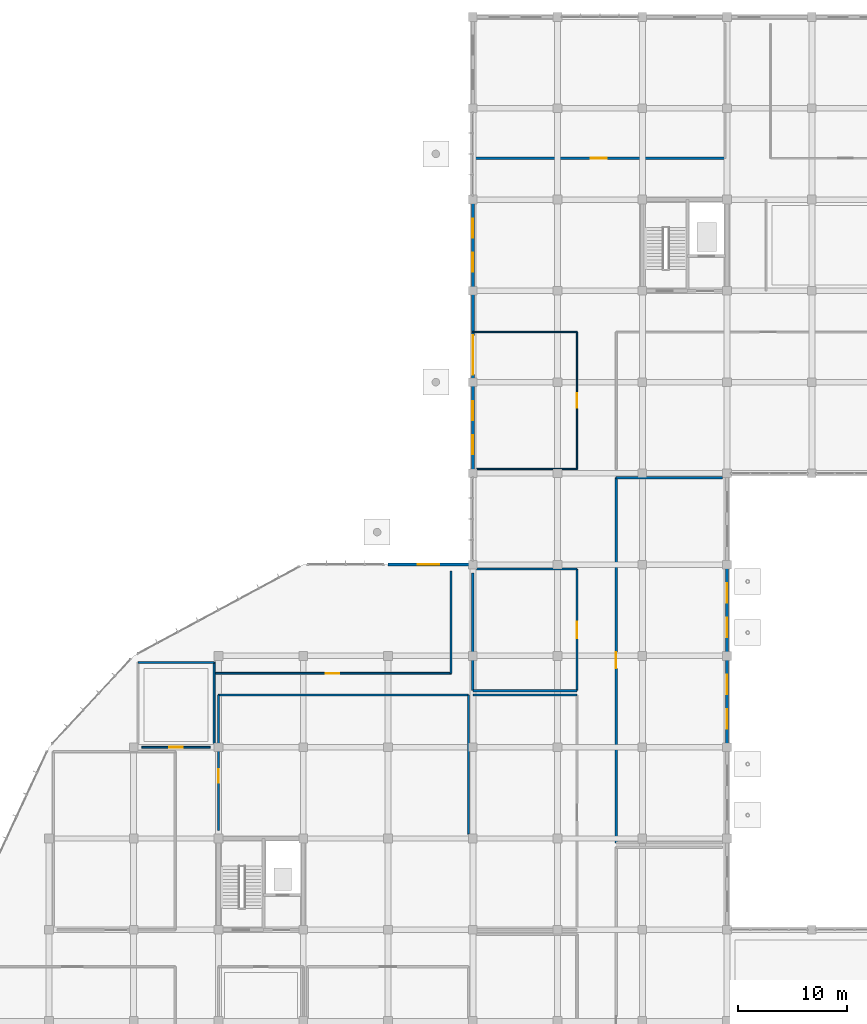
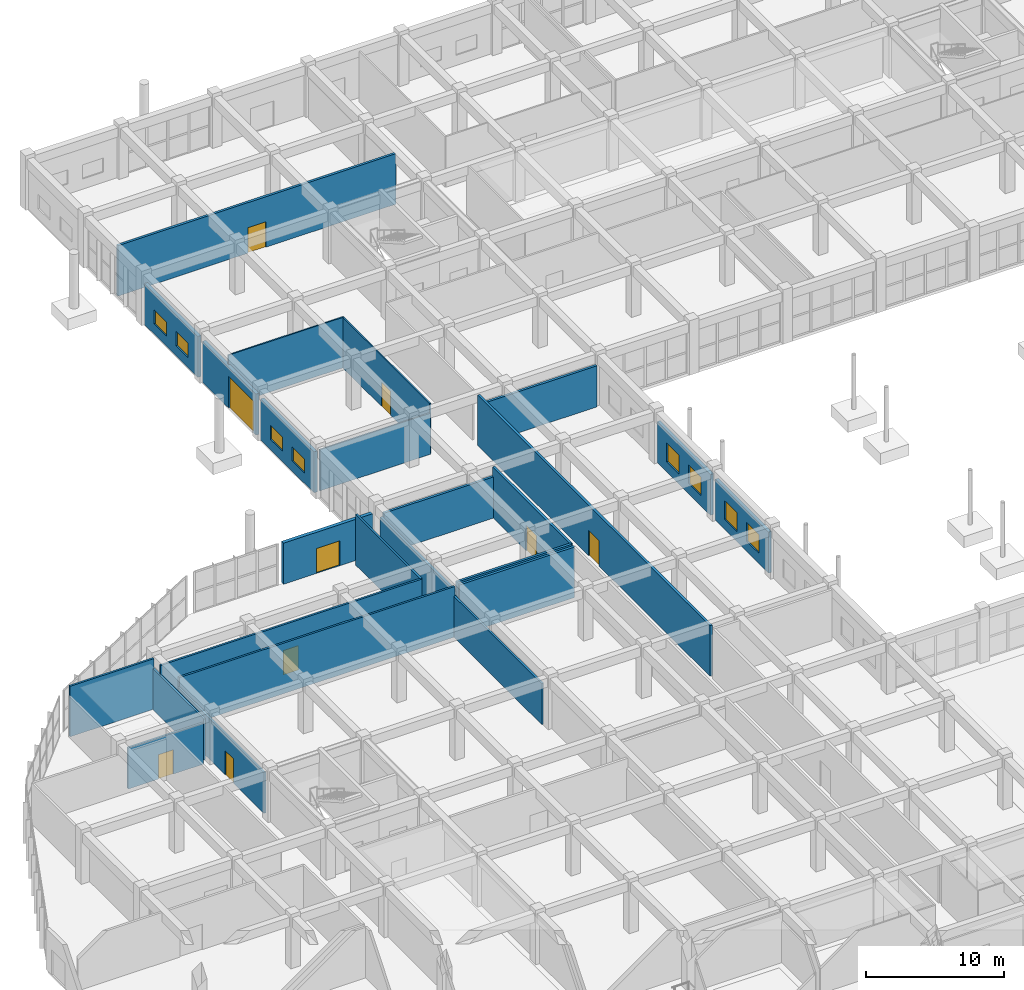
# One storey, part 126 of 139: 25 walls, 9 doors, 8 windows, 17 openings.
"""IFC4 building model written with IfcOpenShell, lengths in metres."""

from ifc_helpers import new_model, si_unit, direction, frame, frame_2d, origin, place, context, subcontext, project, spatial, rectangle, extrude, material, layer, layer_set, type_object, element, fill, save


model = new_model("IFC4")

# Units and contexts
model_context = context("Model", 3, precision=1e-05, world=origin(), true_north=direction((0.0, 1.0)))
body_context = subcontext(model_context, "Body", "Model", "MODEL_VIEW")
ifc_project = project(units=[si_unit("LENGTHUNIT", "METRE"), si_unit("AREAUNIT", "SQUARE_METRE"), si_unit("VOLUMEUNIT", "CUBIC_METRE"), si_unit("PLANEANGLEUNIT", "RADIAN"), si_unit("MASSUNIT", "GRAM", prefix="KILO")], contexts=[model_context])

# Site, building, storey
site_placement = place(None, origin())
site = spatial("IfcSite", under=ifc_project, at=site_placement, CompositionType="ELEMENT")
building_placement = place(site_placement, origin())
building = spatial("IfcBuilding", under=site, at=building_placement, Name="Zizhar Promenade General Hospital", CompositionType="ELEMENT")
storey_placement = place(building_placement, origin())
storey = spatial("IfcBuildingStorey", under=building, at=storey_placement, Name="L00", CompositionType="ELEMENT", Elevation=0.0)

# Wall, openings, windows
ifc_material_1 = material(Name="Precast concrete C40/50", Category="concrete")
ifc_layer_1 = layer(ifc_material_1, 0.260009765625)
ifc_layer_set_1 = layer_set([ifc_layer_1], Name="Precast concrete C40/50")
wall_type_1 = type_object("IfcWallType", Name="EW-PC-260", PredefinedType="STANDARD", material=ifc_layer_set_1)
wall_1_placement = place(storey_placement, frame((70.199951171875, 67.5400390625, 0.0), z_axis=(0.0, 0.0, 1.0), x_axis=(0.0, 1.0, 0.0)))
wall_1 = element("IfcWall", 1, at=wall_1_placement, inside=storey, type_object=wall_type_1, Name="Garden Court West Wall L00-8", PredefinedType="STANDARD", context=body_context, shape_type="SweptSolid", body=[
    extrude(rectangle(XDim=7.719970703125, YDim=0.260009765625, at=frame_2d((3.85986328125, 0.0))), origin(), (0.0, 0.0, 1.0), 3.614990234375),
])
opening_1_placement = place(wall_1_placement, frame((1.373291015625, 0.0, 0.89990234375)))
opening_1 = element("IfcOpeningElement", 2, at=opening_1_placement, cuts=wall_1, Name="Opening W-08", PredefinedType="OPENING", context=body_context, shape_type="SweptSolid", body=[
    extrude(rectangle(XDim=1.800048828125, YDim=1.64990234375, at=frame_2d((0.89990234375, 0.824951171875))), frame((0.0, 0.14013671875, 0.0), z_axis=(0.0, -1.0, 0.0), x_axis=(1.0, 0.0, 0.0)), (0.0, 0.0, 1.0), 0.280029296875),
])
opening_2_placement = place(wall_1_placement, frame((4.546630859375, 0.0, 0.89990234375)))
opening_2 = element("IfcOpeningElement", 3, at=opening_2_placement, cuts=wall_1, Name="Opening W-08", PredefinedType="OPENING", context=body_context, shape_type="SweptSolid", body=[
    extrude(rectangle(XDim=1.800048828125, YDim=1.64990234375, at=frame_2d((0.89990234375, 0.824951171875))), frame((0.0, 0.14013671875, 0.0), z_axis=(0.0, -1.0, 0.0), x_axis=(1.0, 0.0, 0.0)), (0.0, 0.0, 1.0), 0.280029296875),
])
ifc_material_2 = material(Name="Anodised aluminium 6063-T6 and low-E glass", Category="aluminium")
window_type_1 = type_object("IfcWindowType", Name="WIN-CLN-180x165", PartitioningType="DOUBLE_PANEL_VERTICAL", PredefinedType="WINDOW", material=ifc_material_2)
window_1_placement = place(opening_1_placement, origin())
window_1 = element("IfcWindow", 4, at=window_1_placement, inside=storey, type_object=window_type_1, Name="Garden Court West Wall L00-8 Window 1", OverallHeight=1.64990234375, OverallWidth=1.800048828125, PartitioningType="SINGLE_PANEL", PredefinedType="WINDOW", context=body_context, shape_type="SweptSolid", body=[
    extrude(rectangle(XDim=1.800048828125, YDim=1.64990234375, at=frame_2d((0.89990234375, 0.824951171875))), frame((0.0, 0.030029296875, 0.0), z_axis=(0.0, -1.0, 0.0), x_axis=(1.0, 0.0, 0.0)), (0.0, 0.0, 1.0), 0.06005859375),
])
fill(opening_1, window_1)
window_2_placement = place(opening_2_placement, origin())
window_2 = element("IfcWindow", 5, at=window_2_placement, inside=storey, type_object=window_type_1, Name="Garden Court West Wall L00-8 Window 2", OverallHeight=1.64990234375, OverallWidth=1.800048828125, PartitioningType="SINGLE_PANEL", PredefinedType="WINDOW", context=body_context, shape_type="SweptSolid", body=[
    extrude(rectangle(XDim=1.800048828125, YDim=1.64990234375, at=frame_2d((0.89990234375, 0.824951171875))), frame((0.0, 0.030029296875, 0.0), z_axis=(0.0, -1.0, 0.0), x_axis=(1.0, 0.0, 0.0)), (0.0, 0.0, 1.0), 0.06005859375),
])
fill(opening_2, window_2)

wall_2_placement = place(storey_placement, frame((70.199951171875, 75.93994140625, 0.0), z_axis=(0.0, 0.0, 1.0), x_axis=(0.0, 1.0, 0.0)))
wall_2 = element("IfcWall", 6, at=wall_2_placement, inside=storey, type_object=wall_type_1, Name="Garden Court West Wall L00-9", PredefinedType="STANDARD", context=body_context, shape_type="SweptSolid", body=[
    extrude(rectangle(XDim=7.719970703125, YDim=0.260009765625, at=frame_2d((3.85986328125, 0.0))), origin(), (0.0, 0.0, 1.0), 3.614990234375),
])
opening_3_placement = place(wall_2_placement, frame((1.373291015625, 0.0, 0.89990234375)))
opening_3 = element("IfcOpeningElement", 7, at=opening_3_placement, cuts=wall_2, Name="Opening W-08", PredefinedType="OPENING", context=body_context, shape_type="SweptSolid", body=[
    extrude(rectangle(XDim=1.800048828125, YDim=1.64990234375, at=frame_2d((0.89990234375, 0.824951171875))), frame((0.0, 0.14013671875, 0.0), z_axis=(0.0, -1.0, 0.0), x_axis=(1.0, 0.0, 0.0)), (0.0, 0.0, 1.0), 0.280029296875),
])
opening_4_placement = place(wall_2_placement, frame((4.546630859375, 0.0, 0.89990234375)))
opening_4 = element("IfcOpeningElement", 8, at=opening_4_placement, cuts=wall_2, Name="Opening W-08", PredefinedType="OPENING", context=body_context, shape_type="SweptSolid", body=[
    extrude(rectangle(XDim=1.800048828125, YDim=1.64990234375, at=frame_2d((0.89990234375, 0.824951171875))), frame((0.0, 0.14013671875, 0.0), z_axis=(0.0, -1.0, 0.0), x_axis=(1.0, 0.0, 0.0)), (0.0, 0.0, 1.0), 0.280029296875),
])
window_3_placement = place(opening_3_placement, origin())
window_3 = element("IfcWindow", 9, at=window_3_placement, inside=storey, type_object=window_type_1, Name="Garden Court West Wall L00-9 Window 1", OverallHeight=1.64990234375, OverallWidth=1.800048828125, PartitioningType="SINGLE_PANEL", PredefinedType="WINDOW", context=body_context, shape_type="SweptSolid", body=[
    extrude(rectangle(XDim=1.800048828125, YDim=1.64990234375, at=frame_2d((0.89990234375, 0.824951171875))), frame((0.0, 0.030029296875, 0.0), z_axis=(0.0, -1.0, 0.0), x_axis=(1.0, 0.0, 0.0)), (0.0, 0.0, 1.0), 0.06005859375),
])
fill(opening_3, window_3)
window_4_placement = place(opening_4_placement, origin())
window_4 = element("IfcWindow", 10, at=window_4_placement, inside=storey, type_object=window_type_1, Name="Garden Court West Wall L00-9 Window 2", OverallHeight=1.64990234375, OverallWidth=1.800048828125, PartitioningType="SINGLE_PANEL", PredefinedType="WINDOW", context=body_context, shape_type="SweptSolid", body=[
    extrude(rectangle(XDim=1.800048828125, YDim=1.64990234375, at=frame_2d((0.89990234375, 0.824951171875))), frame((0.0, 0.030029296875, 0.0), z_axis=(0.0, -1.0, 0.0), x_axis=(1.0, 0.0, 0.0)), (0.0, 0.0, 1.0), 0.06005859375),
])
fill(opening_4, window_4)

ifc_material_3 = material(Name="Precast concrete C40/50", Category="concrete")
ifc_layer_2 = layer(ifc_material_3, 0.27490234375)
ifc_layer_set_2 = layer_set([ifc_layer_2], Name="Precast concrete C40/50")
wall_type_2 = type_object("IfcWallType", Name="EW-PC-275", PredefinedType="STANDARD", material=ifc_layer_set_2)
wall_3_placement = place(storey_placement, frame((46.800048828125, 92.739990234375, 0.0), z_axis=(0.0, 0.0, 1.0), x_axis=(0.0, 1.0, 0.0)))
wall_3 = element("IfcWall", 11, at=wall_3_placement, inside=storey, type_object=wall_type_2, Name="Surgical West Wall L00-11", PredefinedType="STANDARD", context=body_context, shape_type="SweptSolid", body=[
    extrude(rectangle(XDim=7.719970703125, YDim=0.27490234375, at=frame_2d((3.85986328125, 0.0))), origin(), (0.0, 0.0, 1.0), 3.614990234375),
])
opening_5_placement = place(wall_3_placement, frame((1.40673828125, 0.0, 0.89990234375)))
opening_5 = element("IfcOpeningElement", 12, at=opening_5_placement, cuts=wall_3, Name="Opening W-25", PredefinedType="OPENING", context=body_context, shape_type="SweptSolid", body=[
    extrude(rectangle(XDim=1.75, YDim=1.25, at=frame_2d((0.875, 0.625))), frame((0.0, 0.1474609375, 0.0), z_axis=(0.0, -1.0, 0.0), x_axis=(1.0, 0.0, 0.0)), (0.0, 0.0, 1.0), 0.294921875),
])
opening_6_placement = place(wall_3_placement, frame((4.563232421875, 0.0, 0.89990234375)))
opening_6 = element("IfcOpeningElement", 13, at=opening_6_placement, cuts=wall_3, Name="Opening W-25", PredefinedType="OPENING", context=body_context, shape_type="SweptSolid", body=[
    extrude(rectangle(XDim=1.75, YDim=1.25, at=frame_2d((0.875, 0.625))), frame((0.0, 0.1474609375, 0.0), z_axis=(0.0, -1.0, 0.0), x_axis=(1.0, 0.0, 0.0)), (0.0, 0.0, 1.0), 0.294921875),
])
ifc_material_4 = material(Name="Anodised aluminium 6063-T6 and low-E glass", Category="aluminium")
window_type_2 = type_object("IfcWindowType", Name="WIN-OR-175x125", PartitioningType="DOUBLE_PANEL_VERTICAL", PredefinedType="WINDOW", material=ifc_material_4)
window_5_placement = place(opening_5_placement, origin())
window_5 = element("IfcWindow", 14, at=window_5_placement, inside=storey, type_object=window_type_2, Name="Surgical West Wall L00-11 Window 1", OverallHeight=1.25, OverallWidth=1.75, PartitioningType="SINGLE_PANEL", PredefinedType="WINDOW", context=body_context, shape_type="SweptSolid", body=[
    extrude(rectangle(XDim=1.75, YDim=1.25, at=frame_2d((0.875, 0.625))), frame((0.0, 0.030029296875, 0.0), z_axis=(0.0, -1.0, 0.0), x_axis=(1.0, 0.0, 0.0)), (0.0, 0.0, 1.0), 0.06005859375),
])
fill(opening_5, window_5)
window_6_placement = place(opening_6_placement, origin())
window_6 = element("IfcWindow", 15, at=window_6_placement, inside=storey, type_object=window_type_2, Name="Surgical West Wall L00-11 Window 2", OverallHeight=1.25, OverallWidth=1.75, PartitioningType="SINGLE_PANEL", PredefinedType="WINDOW", context=body_context, shape_type="SweptSolid", body=[
    extrude(rectangle(XDim=1.75, YDim=1.25, at=frame_2d((0.875, 0.625))), frame((0.0, 0.030029296875, 0.0), z_axis=(0.0, -1.0, 0.0), x_axis=(1.0, 0.0, 0.0)), (0.0, 0.0, 1.0), 0.06005859375),
])
fill(opening_6, window_6)

# Wall, opening, door
wall_4_placement = place(storey_placement, frame((46.800048828125, 101.139892578125, 0.0), z_axis=(0.0, 0.0, 1.0), x_axis=(0.0, 1.0, 0.0)))
wall_4 = element("IfcWall", 16, at=wall_4_placement, inside=storey, type_object=wall_type_2, Name="Surgical West Wall L00-12", PredefinedType="STANDARD", context=body_context, shape_type="SweptSolid", body=[
    extrude(rectangle(XDim=7.72021484375, YDim=0.27490234375, at=frame_2d((3.860107421875, 0.0))), origin(), (0.0, 0.0, 1.0), 3.614990234375),
])
opening_7_placement = place(wall_4_placement, frame((0.35009765625, 0.0, 0.0)))
opening_7 = element("IfcOpeningElement", 17, at=opening_7_placement, cuts=wall_4, Name="Opening VG-02", PredefinedType="OPENING", context=body_context, shape_type="SweptSolid", body=[
    extrude(rectangle(XDim=3.60009765625, YDim=2.800048828125, at=frame_2d((1.800048828125, 1.39990234375))), frame((0.0, 0.1474609375, 0.0), z_axis=(0.0, -1.0, 0.0), x_axis=(1.0, 0.0, 0.0)), (0.0, 0.0, 1.0), 0.294921875),
])
ifc_material_5 = material(Name="Galvanised Steel S355", Category="steel")
door_type_1 = type_object("IfcDoorType", Name="GT-SRV-360x280", OperationType="DOUBLE_DOOR_SINGLE_SWING", PredefinedType="GATE", material=ifc_material_5)
door_1_placement = place(opening_7_placement, origin())
door_1 = element("IfcDoor", 18, at=door_1_placement, inside=storey, type_object=door_type_1, Name="Surgical Logistics Yard Gate", OperationType="DOUBLE_DOOR_SINGLE_SWING", OverallHeight=2.800048828125, OverallWidth=3.60009765625, PredefinedType="GATE", context=body_context, shape_type="SweptSolid", body=[
    extrude(rectangle(XDim=3.60009765625, YDim=2.800048828125, at=frame_2d((1.800048828125, 1.39990234375))), frame((0.0, 0.02490234375, 0.0), z_axis=(0.0, -1.0, 0.0), x_axis=(1.0, 0.0, 0.0)), (0.0, 0.0, 1.0), 0.050048828125),
])
fill(opening_7, door_1)

# Wall, openings, windows
wall_5_placement = place(storey_placement, frame((46.800048828125, 109.5400390625, 0.0), z_axis=(0.0, 0.0, 1.0), x_axis=(0.0, 1.0, 0.0)))
wall_5 = element("IfcWall", 19, at=wall_5_placement, inside=storey, type_object=wall_type_2, Name="Surgical West Wall L00-13", PredefinedType="STANDARD", context=body_context, shape_type="SweptSolid", body=[
    extrude(rectangle(XDim=7.719970703125, YDim=0.27490234375, at=frame_2d((3.85986328125, 0.0))), origin(), (0.0, 0.0, 1.0), 3.614990234375),
])
opening_8_placement = place(wall_5_placement, frame((1.40673828125, 0.0, 0.89990234375)))
opening_8 = element("IfcOpeningElement", 20, at=opening_8_placement, cuts=wall_5, Name="Opening W-25", PredefinedType="OPENING", context=body_context, shape_type="SweptSolid", body=[
    extrude(rectangle(XDim=1.75, YDim=1.25, at=frame_2d((0.875, 0.625))), frame((0.0, 0.1474609375, 0.0), z_axis=(0.0, -1.0, 0.0), x_axis=(1.0, 0.0, 0.0)), (0.0, 0.0, 1.0), 0.294921875),
])
opening_9_placement = place(wall_5_placement, frame((4.563232421875, 0.0, 0.89990234375)))
opening_9 = element("IfcOpeningElement", 21, at=opening_9_placement, cuts=wall_5, Name="Opening W-25", PredefinedType="OPENING", context=body_context, shape_type="SweptSolid", body=[
    extrude(rectangle(XDim=1.75, YDim=1.25, at=frame_2d((0.875, 0.625))), frame((0.0, 0.1474609375, 0.0), z_axis=(0.0, -1.0, 0.0), x_axis=(1.0, 0.0, 0.0)), (0.0, 0.0, 1.0), 0.294921875),
])
window_7_placement = place(opening_8_placement, origin())
window_7 = element("IfcWindow", 22, at=window_7_placement, inside=storey, type_object=window_type_2, Name="Surgical West Wall L00-13 Window 1", OverallHeight=1.25, OverallWidth=1.75, PartitioningType="SINGLE_PANEL", PredefinedType="WINDOW", context=body_context, shape_type="SweptSolid", body=[
    extrude(rectangle(XDim=1.75, YDim=1.25, at=frame_2d((0.875, 0.625))), frame((0.0, 0.030029296875, 0.0), z_axis=(0.0, -1.0, 0.0), x_axis=(1.0, 0.0, 0.0)), (0.0, 0.0, 1.0), 0.06005859375),
])
fill(opening_8, window_7)
window_8_placement = place(opening_9_placement, origin())
window_8 = element("IfcWindow", 23, at=window_8_placement, inside=storey, type_object=window_type_2, Name="Surgical West Wall L00-13 Window 2", OverallHeight=1.25, OverallWidth=1.75, PartitioningType="SINGLE_PANEL", PredefinedType="WINDOW", context=body_context, shape_type="SweptSolid", body=[
    extrude(rectangle(XDim=1.75, YDim=1.25, at=frame_2d((0.875, 0.625))), frame((0.0, 0.030029296875, 0.0), z_axis=(0.0, -1.0, 0.0), x_axis=(1.0, 0.0, 0.0)), (0.0, 0.0, 1.0), 0.06005859375),
])
fill(opening_9, window_8)

# Wall, opening, door
ifc_material_6 = material(Name="Precast concrete C40/50", Category="concrete")
ifc_layer_3 = layer(ifc_material_6, 0.2900390625)
ifc_layer_set_3 = layer_set([ifc_layer_3], Name="Precast concrete C40/50")
wall_type_3 = type_object("IfcWallType", Name="EW-PC-290", PredefinedType="STANDARD", material=ifc_layer_set_3)
wall_6_placement = place(storey_placement, frame((39.0, 84.0, 0.0), z_axis=(0.0, 0.0, 1.0), x_axis=(1.0, 0.0, 0.0)))
wall_6 = element("IfcWall", 24, at=wall_6_placement, inside=storey, type_object=wall_type_3, Name="Emergency North Exit Wall", PredefinedType="STANDARD", context=body_context, shape_type="SweptSolid", body=[
    extrude(rectangle(XDim=7.4599609375, YDim=0.2900390625, at=frame_2d((3.72998046875, 0.0))), origin(), (0.0, 0.0, 1.0), 3.6298828125),
])
opening_10_placement = place(wall_6_placement, frame((2.75, 0.0, 0.0)))
opening_10 = element("IfcOpeningElement", 25, at=opening_10_placement, cuts=wall_6, Name="Opening ED-02", PredefinedType="OPENING", context=body_context, shape_type="SweptSolid", body=[
    extrude(rectangle(XDim=1.9599609375, YDim=2.199951171875, at=frame_2d((0.97998046875, 1.10009765625))), frame((0.0, 0.155029296875, 0.0), z_axis=(0.0, -1.0, 0.0), x_axis=(1.0, 0.0, 0.0)), (0.0, 0.0, 1.0), 0.31005859375),
])
ifc_material_7 = material(Name="Anodised aluminium 6063-T6 and laminated safety glass", Category="aluminium")
door_type_2 = type_object("IfcDoorType", Name="DR-EXT-EXIT-196x220", OperationType="DOUBLE_DOOR_SINGLE_SWING", PredefinedType="DOOR", material=ifc_material_7)
door_2_placement = place(opening_10_placement, origin())
door_2 = element("IfcDoor", 26, at=door_2_placement, inside=storey, type_object=door_type_2, Name="Emergency North Final Exit Door", OperationType="DOUBLE_DOOR_SINGLE_SWING", OverallHeight=2.199951171875, OverallWidth=1.9599609375, PredefinedType="DOOR", context=body_context, shape_type="SweptSolid", body=[
    extrude(rectangle(XDim=1.9599609375, YDim=2.199951171875, at=frame_2d((0.97998046875, 1.10009765625))), frame((0.0, 0.02490234375, 0.0), z_axis=(0.0, -1.0, 0.0), x_axis=(1.0, 0.0, 0.0)), (0.0, 0.0, 1.0), 0.050048828125),
])
fill(opening_10, door_2)

ifc_material_8 = material(Name="Fire-rated corridor gypsum partition")
ifc_layer_4 = layer(ifc_material_8, 0.1650390625)
ifc_layer_set_4 = layer_set([ifc_layer_4], Name="Fire-rated corridor gypsum partition")
wall_type_4 = type_object("IfcWallType", Name="IW-CORR-165", PredefinedType="PARTITIONING", material=ifc_layer_set_4)
wall_7_placement = place(storey_placement, frame((16.360107421875, 67.199951171875, 0.0), z_axis=(0.0, 0.0, 1.0), x_axis=(1.0, 0.0, 0.0)))
wall_7 = element("IfcWall", 27, at=wall_7_placement, inside=storey, type_object=wall_type_4, Name="Emergency Department Paediatric Acute Care S Partition", PredefinedType="PARTITIONING", context=body_context, shape_type="SweptSolid", body=[
    extrude(rectangle(XDim=6.27978515625, YDim=0.1650390625, at=frame_2d((3.139892578125, 0.0))), origin(), (0.0, 0.0, 1.0), 3.6298828125),
])
opening_11_placement = place(wall_7_placement, frame((2.514892578125, 0.0, 0.0)))
opening_11 = element("IfcOpeningElement", 28, at=opening_11_placement, cuts=wall_7, Name="Opening D-13", PredefinedType="OPENING", context=body_context, shape_type="SweptSolid", body=[
    extrude(rectangle(XDim=1.25, YDim=2.14990234375, at=frame_2d((0.625, 1.074951171875))), frame((0.0, 0.092529296875, 0.0), z_axis=(0.0, -1.0, 0.0), x_axis=(1.0, 0.0, 0.0)), (0.0, 0.0, 1.0), 0.18505859375),
])
ifc_material_9 = material(Name="Fire-rated timber clinical leaf", Category="wood")
door_type_3 = type_object("IfcDoorType", Name="DR-ED-EXAM-125x215", OperationType="NOTDEFINED", PredefinedType="DOOR", material=ifc_material_9)
door_3_placement = place(opening_11_placement, origin())
door_3 = element("IfcDoor", 29, at=door_3_placement, inside=storey, type_object=door_type_3, Name="Emergency Department Paediatric Acute Care Door", OperationType="SINGLE_SWING_LEFT", OverallHeight=2.14990234375, OverallWidth=1.25, PredefinedType="DOOR", context=body_context, shape_type="SweptSolid", body=[
    extrude(rectangle(XDim=1.25, YDim=2.14990234375, at=frame_2d((0.625, 1.074951171875))), frame((0.0, 0.02490234375, 0.0), z_axis=(0.0, -1.0, 0.0), x_axis=(1.0, 0.0, 0.0)), (0.0, 0.0, 1.0), 0.050048828125),
])
fill(opening_11, door_3)

# Walls
wall_8_placement = place(storey_placement, frame((16.0, 75.0, 0.0), z_axis=(0.0, 0.0, 1.0), x_axis=(1.0, 0.0, 0.0)))
element("IfcWall", 30, at=wall_8_placement, inside=storey, type_object=wall_type_4, Name="Emergency Department Paediatric Acute Care N Partition", PredefinedType="PARTITIONING", context=body_context, shape_type="SweptSolid", body=[
    extrude(rectangle(XDim=7.0, YDim=0.1650390625, at=frame_2d((3.5, 0.0))), origin(), (0.0, 0.0, 1.0), 4.4599609375),
])
wall_9_placement = place(storey_placement, frame((23.0, 67.56005859375, 0.0), z_axis=(0.0, 0.0, 1.0), x_axis=(0.0, 1.0, 0.0)))
element("IfcWall", 31, at=wall_9_placement, inside=storey, type_object=wall_type_4, Name="Emergency Department Paediatric Acute Care E Partition", PredefinedType="PARTITIONING", context=body_context, shape_type="SweptSolid", body=[
    extrude(rectangle(XDim=7.43994140625, YDim=0.1650390625, at=frame_2d((3.719970703125, 0.0))), origin(), (0.0, 0.0, 1.0), 3.614990234375),
])
wall_10_placement = place(storey_placement, frame((23.39990234375, 72.0, 0.0), z_axis=(0.0, 0.0, 1.0), x_axis=(1.0, 0.0, 0.0)))
element("IfcWall", 32, at=wall_10_placement, inside=storey, type_object=wall_type_4, Name="Emergency Department Minor Injuries Unit N Partition", PredefinedType="PARTITIONING", context=body_context, shape_type="SweptSolid", body=[
    extrude(rectangle(XDim=23.0, YDim=0.1650390625, at=frame_2d((11.5, 0.0))), origin(), (0.0, 0.0, 1.0), 4.4599609375),
])

# Wall, opening, door
wall_11_placement = place(storey_placement, frame((23.39990234375, 59.56005859375, 0.0), z_axis=(0.0, 0.0, 1.0), x_axis=(0.0, 1.0, 0.0)))
wall_11 = element("IfcWall", 33, at=wall_11_placement, inside=storey, type_object=wall_type_4, Name="Emergency Department Minor Injuries Unit W Partition", PredefinedType="PARTITIONING", context=body_context, shape_type="SweptSolid", body=[
    extrude(rectangle(XDim=12.43994140625, YDim=0.1650390625, at=frame_2d((6.219970703125, 0.0))), origin(), (0.0, 0.0, 1.0), 3.614990234375),
])
opening_12_placement = place(wall_11_placement, frame((4.35107421875, 0.0, 0.0)))
opening_12 = element("IfcOpeningElement", 34, at=opening_12_placement, cuts=wall_11, Name="Opening D-13", PredefinedType="OPENING", context=body_context, shape_type="SweptSolid", body=[
    extrude(rectangle(XDim=1.25, YDim=2.14990234375, at=frame_2d((0.625, 1.074951171875))), frame((0.0, 0.092529296875, 0.0), z_axis=(0.0, -1.0, 0.0), x_axis=(1.0, 0.0, 0.0)), (0.0, 0.0, 1.0), 0.18505859375),
])
door_4_placement = place(opening_12_placement, origin())
door_4 = element("IfcDoor", 35, at=door_4_placement, inside=storey, type_object=door_type_3, Name="Emergency Department Minor Injuries Unit Door", OperationType="SINGLE_SWING_RIGHT", OverallHeight=2.14990234375, OverallWidth=1.25, PredefinedType="DOOR", context=body_context, shape_type="SweptSolid", body=[
    extrude(rectangle(XDim=1.25, YDim=2.14990234375, at=frame_2d((0.625, 1.074951171875))), frame((0.0, 0.02490234375, 0.0), z_axis=(0.0, -1.0, 0.0), x_axis=(1.0, 0.0, 0.0)), (0.0, 0.0, 1.0), 0.050048828125),
])
fill(opening_12, door_4)

# Wall
wall_12_placement = place(storey_placement, frame((46.39990234375, 59.199951171875, 0.0), z_axis=(0.0, 0.0, 1.0), x_axis=(0.0, 1.0, 0.0)))
element("IfcWall", 36, at=wall_12_placement, inside=storey, type_object=wall_type_4, Name="Emergency Department Minor Injuries Unit E Partition", PredefinedType="PARTITIONING", context=body_context, shape_type="SweptSolid", body=[
    extrude(rectangle(XDim=12.800048828125, YDim=0.1650390625, at=frame_2d((6.39990234375, 0.0))), origin(), (0.0, 0.0, 1.0), 3.614990234375),
])

# Wall, opening, door
wall_13_placement = place(storey_placement, frame((23.0, 74.0, 0.0), z_axis=(0.0, 0.0, 1.0), x_axis=(1.0, 0.0, 0.0)))
wall_13 = element("IfcWall", 37, at=wall_13_placement, inside=storey, type_object=wall_type_4, Name="Emergency Department Decontamination and Isolation S Partition", PredefinedType="PARTITIONING", context=body_context, shape_type="SweptSolid", body=[
    extrude(rectangle(XDim=21.800048828125, YDim=0.1650390625, at=frame_2d((10.89990234375, 0.0))), origin(), (0.0, 0.0, 1.0), 4.4599609375),
])
opening_13_placement = place(wall_13_placement, frame((10.27490234375, 0.0, 0.0)))
opening_13 = element("IfcOpeningElement", 38, at=opening_13_placement, cuts=wall_13, Name="Opening D-13", PredefinedType="OPENING", context=body_context, shape_type="SweptSolid", body=[
    extrude(rectangle(XDim=1.25, YDim=2.14990234375, at=frame_2d((0.625, 1.074951171875))), frame((0.0, 0.092529296875, 0.0), z_axis=(0.0, -1.0, 0.0), x_axis=(1.0, 0.0, 0.0)), (0.0, 0.0, 1.0), 0.18505859375),
])
door_5_placement = place(opening_13_placement, origin())
door_5 = element("IfcDoor", 39, at=door_5_placement, inside=storey, type_object=door_type_3, Name="Emergency Department Decontamination and Isolation Door", OperationType="SINGLE_SWING_LEFT", OverallHeight=2.14990234375, OverallWidth=1.25, PredefinedType="DOOR", context=body_context, shape_type="SweptSolid", body=[
    extrude(rectangle(XDim=1.25, YDim=2.14990234375, at=frame_2d((0.625, 1.074951171875))), frame((0.0, 0.02490234375, 0.0), z_axis=(0.0, -1.0, 0.0), x_axis=(1.0, 0.0, 0.0)), (0.0, 0.0, 1.0), 0.050048828125),
])
fill(opening_13, door_5)

# Walls
wall_14_placement = place(storey_placement, frame((44.800048828125, 74.0, 0.0), z_axis=(0.0, 0.0, 1.0), x_axis=(0.0, 1.0, 0.0)))
element("IfcWall", 40, at=wall_14_placement, inside=storey, type_object=wall_type_4, Name="Emergency Department Decontamination and Isolation E Partition", PredefinedType="PARTITIONING", context=body_context, shape_type="SweptSolid", body=[
    extrude(rectangle(XDim=9.39990234375, YDim=0.1650390625, at=frame_2d((4.699951171875, 0.0))), origin(), (0.0, 0.0, 1.0), 4.4599609375),
])
ifc_material_10 = material(Name="Clean utility gypsum partition")
ifc_layer_5 = layer(ifc_material_10, 0.114990234375)
ifc_layer_set_5 = layer_set([ifc_layer_5], Name="Clean utility gypsum partition")
wall_type_5 = type_object("IfcWallType", Name="IW-STR-115", PredefinedType="PARTITIONING", material=ifc_layer_set_5)
wall_15_placement = place(storey_placement, frame((47.159912109375, 92.800048828125, 0.0), z_axis=(0.0, 0.0, 1.0), x_axis=(1.0, 0.0, 0.0)))
element("IfcWall", 41, at=wall_15_placement, inside=storey, type_object=wall_type_5, Name="Day Surgery Admissions Suite S Partition", PredefinedType="PARTITIONING", context=body_context, shape_type="SweptSolid", body=[
    extrude(rectangle(XDim=9.239990234375, YDim=0.114990234375, at=frame_2d((4.6201171875, 0.0))), origin(), (0.0, 0.0, 1.0), 3.6298828125),
])
wall_16_placement = place(storey_placement, frame((46.800048828125, 105.39990234375, 0.0), z_axis=(0.0, 0.0, 1.0), x_axis=(1.0, 0.0, 0.0)))
element("IfcWall", 42, at=wall_16_placement, inside=storey, type_object=wall_type_5, Name="Day Surgery Admissions Suite N Partition", PredefinedType="PARTITIONING", context=body_context, shape_type="SweptSolid", body=[
    extrude(rectangle(XDim=9.599853515625, YDim=0.114990234375, at=frame_2d((4.7998046875, 0.0))), origin(), (0.0, 0.0, 1.0), 4.4599609375),
])

# Wall, opening, door
wall_17_placement = place(storey_placement, frame((56.39990234375, 92.800048828125, 0.0), z_axis=(0.0, 0.0, 1.0), x_axis=(0.0, 1.0, 0.0)))
wall_17 = element("IfcWall", 43, at=wall_17_placement, inside=storey, type_object=wall_type_5, Name="Day Surgery Admissions Suite E Partition", PredefinedType="PARTITIONING", context=body_context, shape_type="SweptSolid", body=[
    extrude(rectangle(XDim=12.599853515625, YDim=0.114990234375, at=frame_2d((6.2998046875, 0.0))), origin(), (0.0, 0.0, 1.0), 4.4599609375),
])
opening_14_placement = place(wall_17_placement, frame((5.639892578125, 0.0, 0.0)))
opening_14 = element("IfcOpeningElement", 44, at=opening_14_placement, cuts=wall_17, Name="Opening D-26", PredefinedType="OPENING", context=body_context, shape_type="SweptSolid", body=[
    extrude(rectangle(XDim=1.320068359375, YDim=2.14990234375, at=frame_2d((0.66015625, 1.074951171875))), frame((0.0, 0.0673828125, 0.0), z_axis=(0.0, -1.0, 0.0), x_axis=(1.0, 0.0, 0.0)), (0.0, 0.0, 1.0), 0.135009765625),
])
ifc_material_11 = material(Name="Fire-rated timber store leaf", Category="wood")
door_type_4 = type_object("IfcDoorType", Name="DR-STORE-132x215", OperationType="NOTDEFINED", PredefinedType="DOOR", material=ifc_material_11)
door_6_placement = place(opening_14_placement, origin())
door_6 = element("IfcDoor", 45, at=door_6_placement, inside=storey, type_object=door_type_4, Name="Day Surgery Admissions Suite Door", OperationType="SINGLE_SWING_RIGHT", OverallHeight=2.14990234375, OverallWidth=1.320068359375, PredefinedType="DOOR", context=body_context, shape_type="SweptSolid", body=[
    extrude(rectangle(XDim=1.320068359375, YDim=2.14990234375, at=frame_2d((0.66015625, 1.074951171875))), frame((0.0, 0.02490234375, 0.0), z_axis=(0.0, -1.0, 0.0), x_axis=(1.0, 0.0, 0.0)), (0.0, 0.0, 1.0), 0.050048828125),
])
fill(opening_14, door_6)

# Walls
ifc_material_12 = material(Name="Lead-lined gypsum acoustic partition")
ifc_layer_6 = layer(ifc_material_12, 0.205078125)
ifc_layer_set_6 = layer_set([ifc_layer_6], Name="Lead-lined gypsum acoustic partition")
wall_type_6 = type_object("IfcWallType", Name="IW-XRAY-205", PredefinedType="PARTITIONING", material=ifc_layer_set_6)
for number, where, z_axis, x_axis, name in (
    (46, (46.800048828125, 72.0, 0.0), (0.0, 0.0, 1.0), (1.0, 0.0, 0.0), "MRI Diagnostic Imaging Suite 02 N Partition"),
    (47, (46.800048828125, 72.39990234375, 0.0), (0.0, 0.0, 1.0), (1.0, 0.0, 0.0), "CT Diagnostic Imaging Suite S Partition"),
):
    element("IfcWall", number, at=place(storey_placement, frame(where, z_axis=z_axis, x_axis=x_axis)), inside=storey, type_object=wall_type_6, Name=name, PredefinedType="PARTITIONING", context=body_context, shape_type="SweptSolid", body=[
        extrude(rectangle(XDim=9.599853515625, YDim=0.205078125, at=frame_2d((4.7998046875, 0.0))), origin(), (0.0, 0.0, 1.0), 4.4599609375),
    ])
wall_18_placement = place(storey_placement, frame((47.159912109375, 83.60009765625, 0.0), z_axis=(0.0, 0.0, 1.0), x_axis=(1.0, 0.0, 0.0)))
element("IfcWall", 48, at=wall_18_placement, inside=storey, type_object=wall_type_6, Name="CT Diagnostic Imaging Suite N Partition", PredefinedType="PARTITIONING", context=body_context, shape_type="SweptSolid", body=[
    extrude(rectangle(XDim=9.239990234375, YDim=0.205078125, at=frame_2d((4.6201171875, 0.0))), origin(), (0.0, 0.0, 1.0), 3.6298828125),
])
wall_19_placement = place(storey_placement, frame((46.800048828125, 72.39990234375, 0.0), z_axis=(0.0, 0.0, 1.0), x_axis=(0.0, 1.0, 0.0)))
element("IfcWall", 49, at=wall_19_placement, inside=storey, type_object=wall_type_6, Name="CT Diagnostic Imaging Suite W Partition", PredefinedType="PARTITIONING", context=body_context, shape_type="SweptSolid", body=[
    extrude(rectangle(XDim=10.840087890625, YDim=0.205078125, at=frame_2d((5.419921875, 0.0))), origin(), (0.0, 0.0, 1.0), 3.614990234375),
])

# Wall, opening, door
wall_20_placement = place(storey_placement, frame((56.39990234375, 72.39990234375, 0.0), z_axis=(0.0, 0.0, 1.0), x_axis=(0.0, 1.0, 0.0)))
wall_20 = element("IfcWall", 50, at=wall_20_placement, inside=storey, type_object=wall_type_6, Name="CT Diagnostic Imaging Suite E Partition", PredefinedType="PARTITIONING", context=body_context, shape_type="SweptSolid", body=[
    extrude(rectangle(XDim=11.2001953125, YDim=0.205078125, at=frame_2d((5.60009765625, 0.0))), origin(), (0.0, 0.0, 1.0), 4.4599609375),
])
opening_15_placement = place(wall_20_placement, frame((4.85009765625, 0.0, 0.0)))
opening_15 = element("IfcOpeningElement", 51, at=opening_15_placement, cuts=wall_20, Name="Opening D-10", PredefinedType="OPENING", context=body_context, shape_type="SweptSolid", body=[
    extrude(rectangle(XDim=1.5, YDim=2.25, at=frame_2d((0.75, 1.125))), frame((0.0, 0.112548828125, 0.0), z_axis=(0.0, -1.0, 0.0), x_axis=(1.0, 0.0, 0.0)), (0.0, 0.0, 1.0), 0.22509765625),
])
ifc_material_13 = material(Name="Lead-lined radiation-shielded Steel S355", Category="steel")
door_type_5 = type_object("IfcDoorType", Name="DR-IMG-LEAD-150x225", OperationType="DOUBLE_DOOR_SINGLE_SWING", PredefinedType="DOOR", material=ifc_material_13)
door_7_placement = place(opening_15_placement, origin())
door_7 = element("IfcDoor", 52, at=door_7_placement, inside=storey, type_object=door_type_5, Name="CT Diagnostic Imaging Suite Door", OperationType="DOUBLE_DOOR_SINGLE_SWING", OverallHeight=2.25, OverallWidth=1.5, PredefinedType="DOOR", context=body_context, shape_type="SweptSolid", body=[
    extrude(rectangle(XDim=1.5, YDim=2.25, at=frame_2d((0.75, 1.125))), frame((0.0, 0.02490234375, 0.0), z_axis=(0.0, -1.0, 0.0), x_axis=(1.0, 0.0, 0.0)), (0.0, 0.0, 1.0), 0.050048828125),
])
fill(opening_15, door_7)

# Wall
wall_21_placement = place(storey_placement, frame((60.0, 92.0, 0.0), z_axis=(0.0, 0.0, 1.0), x_axis=(1.0, 0.0, 0.0)))
element("IfcWall", 53, at=wall_21_placement, inside=storey, type_object=wall_type_6, Name="Ultrasound and Mammography Imaging Suite N Partition", PredefinedType="PARTITIONING", context=body_context, shape_type="SweptSolid", body=[
    extrude(rectangle(XDim=9.800048828125, YDim=0.205078125, at=frame_2d((4.89990234375, 0.0))), origin(), (0.0, 0.0, 1.0), 3.6298828125),
])

# Wall, opening, door
wall_22_placement = place(storey_placement, frame((60.0, 58.39990234375, 0.0), z_axis=(0.0, 0.0, 1.0), x_axis=(0.0, 1.0, 0.0)))
wall_22 = element("IfcWall", 54, at=wall_22_placement, inside=storey, type_object=wall_type_6, Name="Ultrasound and Mammography Imaging Suite W Partition", PredefinedType="PARTITIONING", context=body_context, shape_type="SweptSolid", body=[
    extrude(rectangle(XDim=33.60009765625, YDim=0.205078125, at=frame_2d((16.800048828125, 0.0))), origin(), (0.0, 0.0, 1.0), 4.4599609375),
])
opening_16_placement = place(wall_22_placement, frame((16.050048828125, 0.0, 0.0)))
opening_16 = element("IfcOpeningElement", 55, at=opening_16_placement, cuts=wall_22, Name="Opening D-10", PredefinedType="OPENING", context=body_context, shape_type="SweptSolid", body=[
    extrude(rectangle(XDim=1.5, YDim=2.25, at=frame_2d((0.75, 1.125))), frame((0.0, 0.112548828125, 0.0), z_axis=(0.0, -1.0, 0.0), x_axis=(1.0, 0.0, 0.0)), (0.0, 0.0, 1.0), 0.22509765625),
])
door_8_placement = place(opening_16_placement, origin())
door_8 = element("IfcDoor", 56, at=door_8_placement, inside=storey, type_object=door_type_5, Name="Ultrasound and Mammography Imaging Suite Door", OperationType="DOUBLE_DOOR_SINGLE_SWING", OverallHeight=2.25, OverallWidth=1.5, PredefinedType="DOOR", context=body_context, shape_type="SweptSolid", body=[
    extrude(rectangle(XDim=1.5, YDim=2.25, at=frame_2d((0.75, 1.125))), frame((0.0, 0.02490234375, 0.0), z_axis=(0.0, -1.0, 0.0), x_axis=(1.0, 0.0, 0.0)), (0.0, 0.0, 1.0), 0.050048828125),
])
fill(opening_16, door_8)

wall_23_placement = place(storey_placement, frame((46.800048828125, 121.39990234375, 0.0), z_axis=(0.0, 0.0, 1.0), x_axis=(1.0, 0.0, 0.0)))
wall_23 = element("IfcWall", 57, at=wall_23_placement, inside=storey, type_object=wall_type_6, Name="Interventional Angiography Imaging Suite S Partition", PredefinedType="PARTITIONING", context=body_context, shape_type="SweptSolid", body=[
    extrude(rectangle(XDim=23.199951171875, YDim=0.205078125, at=frame_2d((11.60009765625, 0.0))), origin(), (0.0, 0.0, 1.0), 4.4599609375),
])
opening_17_placement = place(wall_23_placement, frame((10.85009765625, 0.0, 0.0)))
opening_17 = element("IfcOpeningElement", 58, at=opening_17_placement, cuts=wall_23, Name="Opening D-10", PredefinedType="OPENING", context=body_context, shape_type="SweptSolid", body=[
    extrude(rectangle(XDim=1.5, YDim=2.25, at=frame_2d((0.75, 1.125))), frame((0.0, 0.112548828125, 0.0), z_axis=(0.0, -1.0, 0.0), x_axis=(1.0, 0.0, 0.0)), (0.0, 0.0, 1.0), 0.22509765625),
])
door_9_placement = place(opening_17_placement, origin())
door_9 = element("IfcDoor", 59, at=door_9_placement, inside=storey, type_object=door_type_5, Name="Interventional Angiography Imaging Suite Door", OperationType="DOUBLE_DOOR_SINGLE_SWING", OverallHeight=2.25, OverallWidth=1.5, PredefinedType="DOOR", context=body_context, shape_type="SweptSolid", body=[
    extrude(rectangle(XDim=1.5, YDim=2.25, at=frame_2d((0.75, 1.125))), frame((0.0, 0.02490234375, 0.0), z_axis=(0.0, -1.0, 0.0), x_axis=(1.0, 0.0, 0.0)), (0.0, 0.0, 1.0), 0.050048828125),
])
fill(opening_17, door_9)

save(model, "model.ifc")
